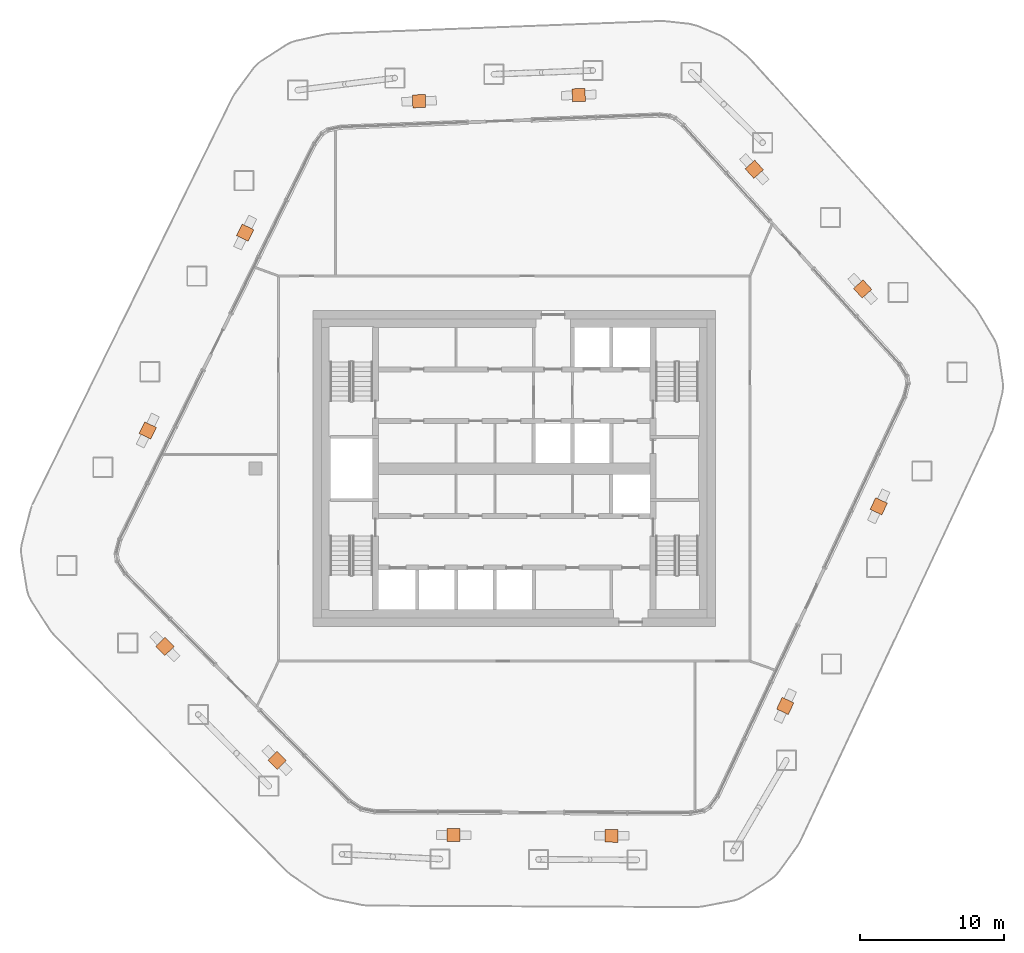
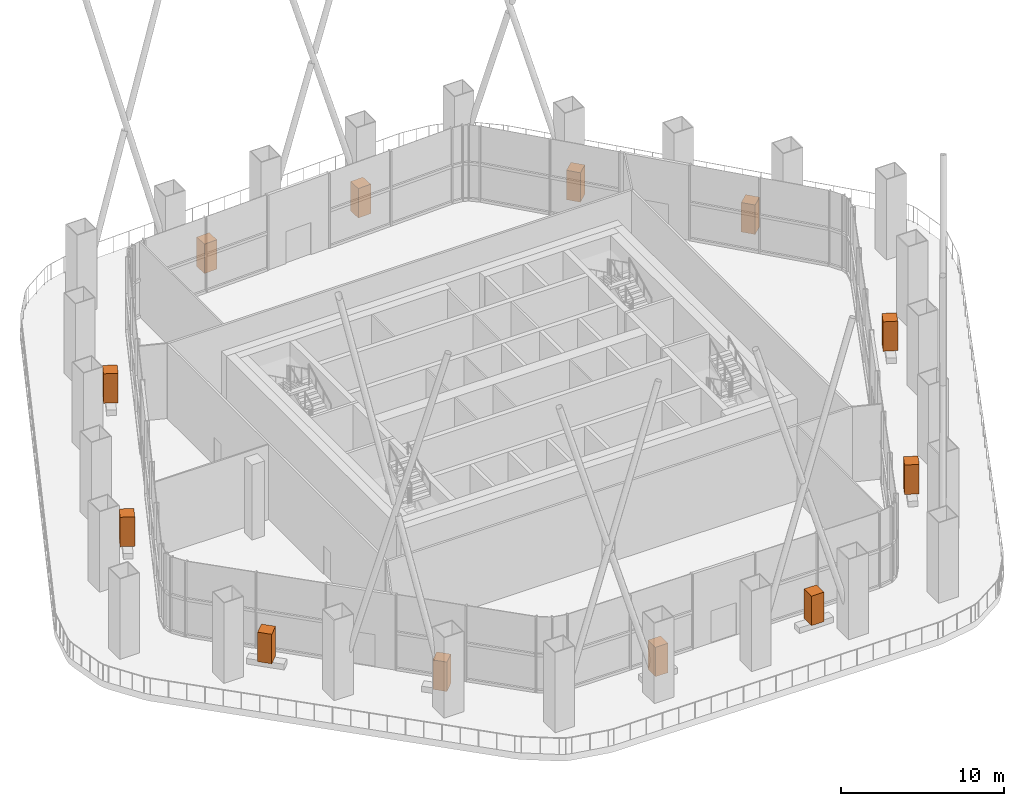
# One storey, part 20 of 20: 12 geographic elements.
"""IFC4 building model written with IfcOpenShell, lengths in metres."""

from ifc_helpers import new_model, si_unit, direction, frame, origin, origin_2d, place, context, subcontext, project, spatial, rectangle, extrude, material, type_object, element, save


model = new_model("IFC4")

# Units and contexts
model_context = context("Model", 3, precision=1e-05, world=origin(), true_north=direction((0.0, 1.0)))
body_context = subcontext(model_context, "Body", "Model", "MODEL_VIEW")
ifc_project = project(units=[si_unit("LENGTHUNIT", "METRE"), si_unit("AREAUNIT", "SQUARE_METRE"), si_unit("VOLUMEUNIT", "CUBIC_METRE"), si_unit("PLANEANGLEUNIT", "RADIAN"), si_unit("MASSUNIT", "GRAM", prefix="KILO")], contexts=[model_context])

# Site, building, storey
site_placement = place(None, origin())
site = spatial("IfcSite", under=ifc_project, at=site_placement, CompositionType="ELEMENT")
building_placement = place(site_placement, origin())
building = spatial("IfcBuilding", under=site, at=building_placement, Name="Dongbaek Canopy Tower", CompositionType="ELEMENT")
storey_placement = place(building_placement, frame((0.0, 0.0, 353.0)))
storey = spatial("IfcBuildingStorey", under=building, at=storey_placement, Name="L76", CompositionType="ELEMENT", Elevation=353.0)

# Geographic elements
ifc_material = material(Name="Planting, tree")
geographic_element_type = type_object("IfcGeographicElementType", Name="Tree TR1", PredefinedType="USERDEFINED", material=ifc_material)
for number, where, z_axis, x_axis, name in (
    (1, (24.234619140625, 12.49169921875, 0.419921875), (0.0, 0.0, 1.0), (-0.671259709872, 0.741222235165, 0.0), "Tree L76 deck 1"),
    (2, (16.695556640625, 20.816650390625, 0.419921875), (0.0, 0.0, 1.0), (-0.671259709872, 0.741222235165, 0.0), "Tree L76 deck 2"),
    (3, (4.484619140625, 25.981201171875, 0.419921875), (0.0, 0.0, 1.0), (-0.999268890918, -0.038231971473, 0.0), "Tree L76 deck 3"),
    (4, (-6.625732421875, 25.55615234375, 0.419921875), (0.0, 0.0, 1.0), (-0.999268890918, -0.038231971473, 0.0), "Tree L76 deck 4"),
    (5, (-18.7255859375, 16.408935546875, 0.419921875), (0.0, 0.0, 1.0), (-0.441341617152, -0.897339164959, 0.0), "Tree L76 deck 5"),
    (6, (-25.49560546875, 2.644287109375, 0.419921875), (0.0, 0.0, 1.0), (-0.441341617152, -0.897339164959, 0.0), "Tree L76 deck 6"),
    (7, (-24.303466796875, -12.376953125, 0.419921875), (0.0, 0.0, 1.0), (0.701718259547, -0.712454548879, 0.0), "Tree L76 deck 7"),
    (8, (-16.5, -20.299560546875, 0.419921875), (0.0, 0.0, 1.0), (0.701718259547, -0.712454548879, 0.0), "Tree L76 deck 8"),
    (9, (-4.22314453125, -25.499267578125, 0.419921875), (0.0, 0.0, 1.0), (0.999990026875, -0.0044661113, 0.0), "Tree L76 deck 9"),
    (10, (6.764892578125, -25.54833984375, 0.419921875), (0.0, 0.0, 1.0), (0.999990026875, -0.0044661113, 0.0), "Tree L76 deck 10"),
    (11, (18.850341796875, -16.515869140625, 0.419921875), (0.0, 0.0, 1.0), (0.424122866043, 0.905604656845, 0.0), "Tree L76 deck 11"),
    (12, (25.3544921875, -2.628173828125, 0.419921875), (0.0, 0.0, 1.0), (0.424122866043, 0.905604656845, 0.0), "Tree L76 deck 12"),
):
    element("IfcGeographicElement", number, at=place(storey_placement, frame(where, z_axis=z_axis, x_axis=x_axis)), inside=storey, type_object=geographic_element_type, Name=name, ObjectType="TREE", PredefinedType="USERDEFINED", context=body_context, shape_type="SweptSolid", body=[
        extrude(rectangle(XDim=0.89990234375, YDim=0.89990234375, at=origin_2d()), origin(), (0.0, 0.0, 1.0), 2.199951171875),
    ])

save(model, "model.ifc")
